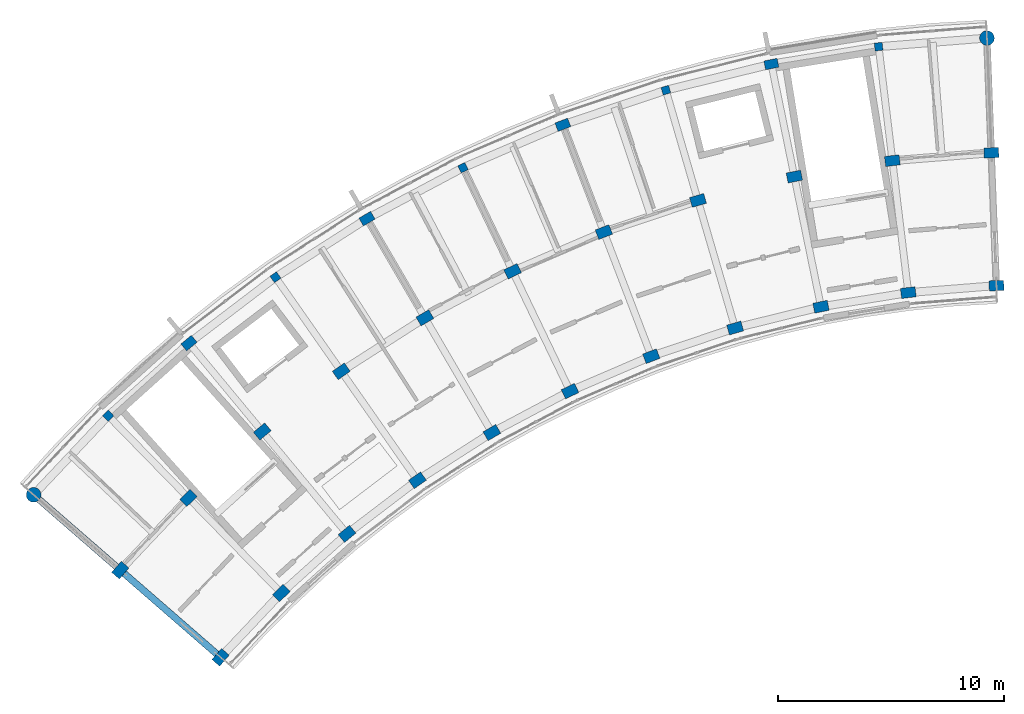
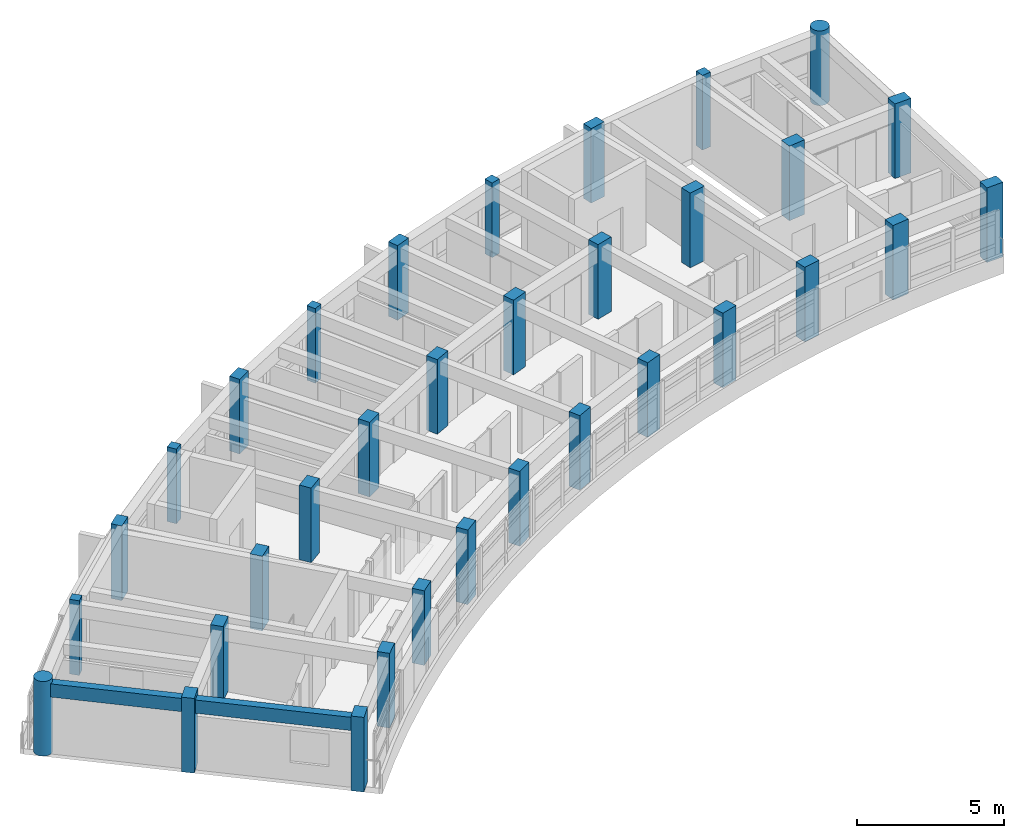
# One storey, part 1 of 11: 33 columns, 2 beams.
"""IFC4 building model written with IfcOpenShell, lengths in metres."""

from ifc_helpers import new_model, si_unit, direction, frame, origin, origin_2d, place, context, subcontext, project, spatial, rectangle, circle, extrude, material, material_profile, profile_set, type_object, element, save


model = new_model("IFC4")

# Units and contexts
model_context = context("Model", 3, precision=1e-05, world=origin(), true_north=direction((0.0, 1.0)))
body_context = subcontext(model_context, "Body", "Model", "MODEL_VIEW")
ifc_project = project(units=[si_unit("LENGTHUNIT", "METRE"), si_unit("AREAUNIT", "SQUARE_METRE"), si_unit("VOLUMEUNIT", "CUBIC_METRE"), si_unit("PLANEANGLEUNIT", "RADIAN"), si_unit("MASSUNIT", "GRAM", prefix="KILO")], contexts=[model_context])

# Site, building, storey
site_placement = place(None, origin())
site = spatial("IfcSite", under=ifc_project, at=site_placement, CompositionType="ELEMENT")
building_placement = place(site_placement, origin())
building = spatial("IfcBuilding", under=site, at=building_placement, Name="Zimvara Arc Housing Community", CompositionType="ELEMENT")
storey_placement = place(building_placement, frame((0.0, 0.0, 42.199951171875)))
storey = spatial("IfcBuildingStorey", under=building, at=storey_placement, Name="L13", CompositionType="ELEMENT", Elevation=42.199951171875)

# Columns
ifc_material_1 = material(Name="Concrete C40/50", Category="concrete")
ifc_material_profile_1 = material_profile(ifc_material_1, rectangle(XDim=0.35009765625, YDim=0.35009765625, at=origin_2d()), Name="RC 350x350")
ifc_profile_set_1 = profile_set([ifc_material_profile_1], Name="Concrete C40/50")
column_type_1 = type_object("IfcColumnType", Name="COL-RC-350x350", PredefinedType="COLUMN", material=ifc_profile_set_1)
for number, where, z_axis, x_axis, name in (
    (1, (3.862548828125, 86.625732421875, 0.0), (0.0, 0.0, 1.0), (-0.698665066769, 0.715448897181, 0.0), "col:blkA:L13:b1:r3"),
    (2, (11.261474609375, 92.755126953125, 0.0), (0.0, 0.0, 1.0), (-0.573004420611, 0.819552276527, 0.0), "col:blkA:L13:b3:r3"),
    (3, (19.558837890625, 97.599853515625, 0.0), (0.0, 0.0, 1.0), (-0.432085748802, 0.901832526405, 0.0), "col:blkA:L13:b5:r3"),
    (4, (28.533447265625, 101.030517578125, 0.0), (0.0, 0.0, 1.0), (-0.27966144946, 0.96009867914, 0.0), "col:blkA:L13:b7:r3"),
    (5, (37.94677734375, 102.9560546875, 0.0), (0.0, 0.0, 1.0), (-0.119790293837, 0.992799217114, 0.0), "col:blkA:L13:b9:r3"),
):
    element("IfcColumn", number, at=place(storey_placement, frame(where, z_axis=z_axis, x_axis=x_axis)), inside=storey, type_object=column_type_1, Name=name, PredefinedType="COLUMN", context=body_context, shape_type="SweptSolid", body=[
        extrude(rectangle(XDim=0.35009765625, YDim=0.35009765625, at=origin_2d()), origin(), (0.0, 0.0, 1.0), 3.10009765625),
    ])
ifc_material_2 = material(Name="Concrete C40/50", Category="concrete")
ifc_material_profile_2 = material_profile(ifc_material_2, rectangle(XDim=0.39990234375, YDim=0.60009765625, at=origin_2d()), Name="RC 400x600")
ifc_profile_set_2 = profile_set([ifc_material_profile_2], Name="Concrete C40/50")
column_type_2 = type_object("IfcColumnType", Name="COL-RC-400x600", PredefinedType="COLUMN", material=ifc_profile_set_2)
for number, where, z_axis, x_axis, name in (
    (6, (7.436767578125, 89.841552734375, 0.0), (0.0, 0.0, 1.0), (-0.637961754089, 0.770068049148, 0.0), "col:blkA:L13:b2:r3"),
    (7, (15.311279296875, 95.34716796875, 0.0), (0.0, 0.0, 1.0), (-0.504226211181, 0.863571611366, 0.0), "col:blkA:L13:b4:r3"),
    (8, (23.97607421875, 99.49853515625, 0.0), (0.0, 0.0, 1.0), (-0.357064076459, 0.934079892355, 0.0), "col:blkA:L13:b6:r3"),
    (9, (33.20068359375, 102.185546875, 0.0), (0.0, 0.0, 1.0), (-0.200393999665, 0.979715389742, 0.0), "col:blkA:L13:b8:r3"),
):
    element("IfcColumn", number, at=place(storey_placement, frame(where, z_axis=z_axis, x_axis=x_axis)), inside=storey, type_object=column_type_2, Name=name, PredefinedType="COLUMN", context=body_context, shape_type="SweptSolid", body=[
        extrude(rectangle(XDim=0.39990234375, YDim=0.60009765625, at=origin_2d()), origin(), (0.0, 0.0, 1.0), 3.10009765625),
    ])
ifc_material_3 = material(Name="Concrete C40/50", Category="concrete")
ifc_material_profile_3 = material_profile(ifc_material_3, rectangle(XDim=0.449951171875, YDim=0.64990234375, at=origin_2d()), Name="RC 450x650")
ifc_profile_set_3 = profile_set([ifc_material_profile_3], Name="Concrete C40/50")
column_type_3 = type_object("IfcColumnType", Name="COL-RC-450x650", PredefinedType="COLUMN", material=ifc_profile_set_3)
for number, where, z_axis, x_axis, name in (
    (10, (8.834228515625, 75.938232421875, 0.0), (0.0, 0.0, 1.0), (-0.754709580223, 0.656059028991, 0.0), "col:blkA:L13:b0:r1"),
    (11, (4.396728515625, 79.7958984375, 0.0), (0.0, 0.0, 1.0), (-0.754709580223, 0.656059028991, 0.0), "col:blkA:L13:b0:r2"),
    (12, (11.52001953125, 78.784423828125, 0.0), (0.0, 0.0, 1.0), (-0.698665066769, 0.715448897181, 0.0), "col:blkA:L13:b1:r1"),
    (13, (7.411865234375, 82.9912109375, 0.0), (0.0, 0.0, 1.0), (-0.698665066769, 0.715448897181, 0.0), "col:blkA:L13:b1:r2"),
    (14, (14.428955078125, 81.401611328125, 0.0), (0.0, 0.0, 1.0), (-0.637961754089, 0.770068049148, 0.0), "col:blkA:L13:b2:r1"),
    (15, (10.677734375, 85.9296875, 0.0), (0.0, 0.0, 1.0), (-0.637961754089, 0.770068049148, 0.0), "col:blkA:L13:b2:r2"),
    (16, (17.541748046875, 83.77294921875, 0.0), (0.0, 0.0, 1.0), (-0.573004420611, 0.819552276527, 0.0), "col:blkA:L13:b3:r1"),
    (17, (14.17236328125, 88.591796875, 0.0), (0.0, 0.0, 1.0), (-0.573004420611, 0.819552276527, 0.0), "col:blkA:L13:b3:r2"),
    (18, (20.83740234375, 85.88232421875, 0.0), (0.0, 0.0, 1.0), (-0.504226211181, 0.863571611366, 0.0), "col:blkA:L13:b4:r1"),
    (19, (17.87255859375, 90.960205078125, 0.0), (0.0, 0.0, 1.0), (-0.504226211181, 0.863571611366, 0.0), "col:blkA:L13:b4:r2"),
    (20, (24.29443359375, 87.7158203125, 0.0), (0.0, 0.0, 1.0), (-0.432085748802, 0.901832526405, 0.0), "col:blkA:L13:b5:r1"),
    (21, (21.75390625, 93.0185546875, 0.0), (0.0, 0.0, 1.0), (-0.432085748802, 0.901832526405, 0.0), "col:blkA:L13:b5:r2"),
    (22, (27.889404296875, 89.260986328125, 0.0), (0.0, 0.0, 1.0), (-0.357064076459, 0.934079892355, 0.0), "col:blkA:L13:b6:r1"),
    (23, (25.7900390625, 94.75341796875, 0.0), (0.0, 0.0, 1.0), (-0.357064076459, 0.934079892355, 0.0), "col:blkA:L13:b6:r2"),
    (24, (31.5986328125, 90.5078125, 0.0), (0.0, 0.0, 1.0), (-0.27966144946, 0.96009867914, 0.0), "col:blkA:L13:b7:r1"),
    (25, (29.9541015625, 96.1533203125, 0.0), (0.0, 0.0, 1.0), (-0.27966144946, 0.96009867914, 0.0), "col:blkA:L13:b7:r2"),
    (26, (35.397216796875, 91.447998046875, 0.0), (0.0, 0.0, 1.0), (-0.200393999665, 0.979715389742, 0.0), "col:blkA:L13:b8:r1"),
    (27, (34.21875, 97.208740234375, 0.0), (0.0, 0.0, 1.0), (-0.200393999665, 0.979715389742, 0.0), "col:blkA:L13:b8:r2"),
    (28, (39.259765625, 92.074951171875, 0.0), (0.0, 0.0, 1.0), (-0.119790293837, 0.992799217114, 0.0), "col:blkA:L13:b9:r1"),
    (29, (38.55517578125, 97.91259765625, 0.0), (0.0, 0.0, 1.0), (-0.119790293837, 0.992799217114, 0.0), "col:blkA:L13:b9:r2"),
    (30, (43.160400390625, 92.384765625, 0.0), (0.0, 0.0, 1.0), (-0.038387809088, 0.999262916411, 0.0), "col:blkA:L13:b10:r1"),
    (31, (42.934814453125, 98.26025390625, 0.0), (0.0, 0.0, 1.0), (-0.038387809088, 0.999262916411, 0.0), "col:blkA:L13:b10:r2"),
):
    element("IfcColumn", number, at=place(storey_placement, frame(where, z_axis=z_axis, x_axis=x_axis)), inside=storey, type_object=column_type_3, Name=name, PredefinedType="COLUMN", context=body_context, shape_type="SweptSolid", body=[
        extrude(rectangle(XDim=0.449951171875, YDim=0.64990234375, at=origin_2d()), origin(), (0.0, 0.0, 1.0), 3.10009765625),
    ])
ifc_material_4 = material(Name="Concrete C40/50", Category="concrete")
ifc_material_profile_4 = material_profile(ifc_material_4, circle(Radius=0.324951171875, at=origin_2d()), Name="RC D650")
ifc_profile_set_4 = profile_set([ifc_material_profile_4], Name="Concrete C40/50")
column_type_4 = type_object("IfcColumnType", Name="COL-RC-D600", PredefinedType="COLUMN", material=ifc_profile_set_4)
for number, where, z_axis, x_axis, name in (
    (32, (0.562744140625, 83.128662109375, 0.0), (0.0, 0.0, 1.0), (-0.754709580223, 0.656059028991, 0.0), "col:blkA:L13:b0:r3"),
    (33, (42.73974609375, 103.336669921875, 0.0), (0.0, 0.0, 1.0), (-0.038387809088, 0.999262916411, 0.0), "col:blkA:L13:b10:r3"),
):
    element("IfcColumn", number, at=place(storey_placement, frame(where, z_axis=z_axis, x_axis=x_axis)), inside=storey, type_object=column_type_4, Name=name, PredefinedType="COLUMN", context=body_context, shape_type="SweptSolid", body=[
        extrude(circle(Radius=0.324951171875, at=origin_2d()), origin(), (0.0, 0.0, 1.0), 3.10009765625),
    ])

# Beams
ifc_material_5 = material(Name="Concrete C40/50", Category="concrete")
ifc_material_profile_5 = material_profile(ifc_material_5, rectangle(XDim=0.300048828125, YDim=0.550048828125, at=origin_2d()), Name="RC 300x550")
ifc_profile_set_5 = profile_set([ifc_material_profile_5], Name="Concrete C40/50")
beam_type = type_object("IfcBeamType", Name="BM-RC-300x550", PredefinedType="BEAM", material=ifc_profile_set_5)
beam_1_placement = place(storey_placement, frame((8.834228515625, 75.938232421875, 2.64501953125), z_axis=(-0.754692223258, 0.656078995362, 0.0), x_axis=(-0.656078995362, -0.754692223258, 0.0)))
element("IfcBeam", 34, at=beam_1_placement, inside=storey, type_object=beam_type, Name="bm:blkA:L13:rad:b0:r12", PredefinedType="BEAM", context=body_context, shape_type="SweptSolid", body=[
    extrude(rectangle(XDim=0.300048828125, YDim=0.550048828125, at=origin_2d()), origin(), (0.0, 0.0, 1.0), 5.8798828125),
])
beam_2_placement = place(storey_placement, frame((4.396728515625, 79.7958984375, 2.64501953125), z_axis=(-0.754716217499, 0.656051393599, 0.0), x_axis=(-0.656051393599, -0.754716217499, 0.0)))
element("IfcBeam", 35, at=beam_2_placement, inside=storey, type_object=beam_type, Name="bm:blkA:L13:rad:b0:r23", PredefinedType="BEAM", context=body_context, shape_type="SweptSolid", body=[
    extrude(rectangle(XDim=0.300048828125, YDim=0.550048828125, at=origin_2d()), origin(), (0.0, 0.0, 1.0), 5.080078125),
])

save(model, "model.ifc")
